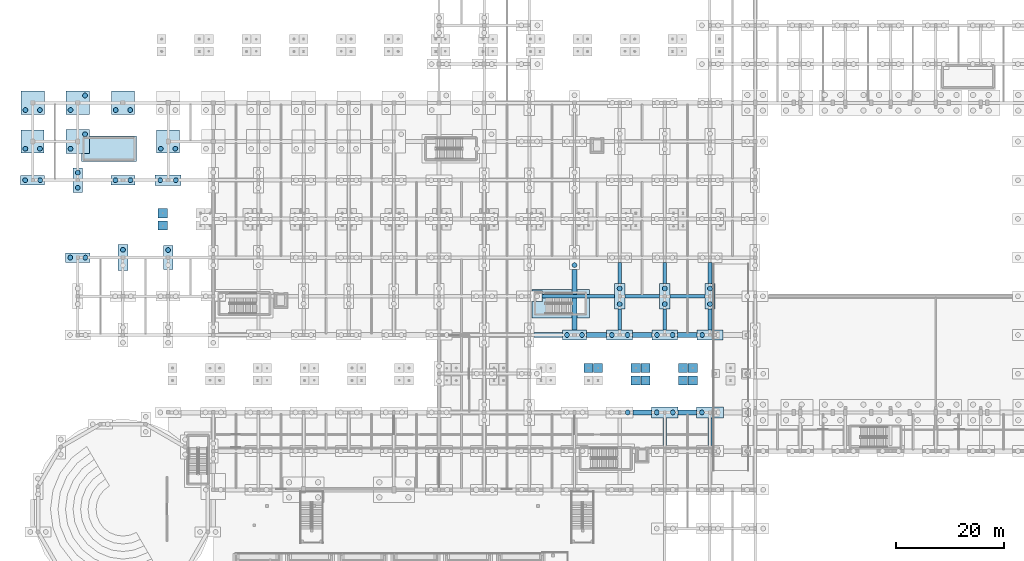
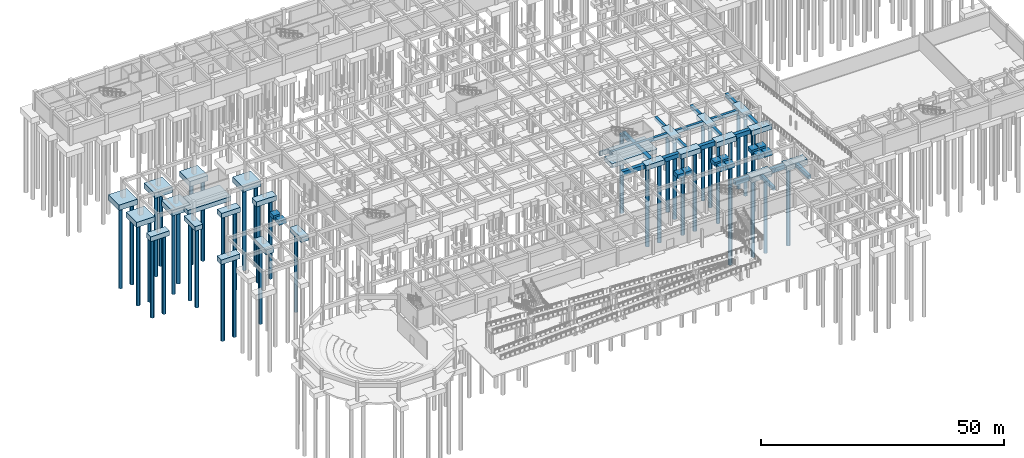
# One storey, part 5 of 80: 54 footings, 42 piles.
"""IFC4 building model written with IfcOpenShell, lengths in metres."""

from ifc_helpers import new_model, si_unit, direction, frame, origin, origin_2d, place, context, subcontext, project, spatial, polyline, rectangle, circle, outline, extrude, material, material_profile, profile_set, type_object, element, save


model = new_model("IFC4")

# Units and contexts
model_context = context("Model", 3, precision=1e-05, world=origin(), true_north=direction((0.0, 1.0)))
body_context = subcontext(model_context, "Body", "Model", "MODEL_VIEW")
ifc_project = project(units=[si_unit("LENGTHUNIT", "METRE"), si_unit("AREAUNIT", "SQUARE_METRE"), si_unit("VOLUMEUNIT", "CUBIC_METRE"), si_unit("PLANEANGLEUNIT", "RADIAN"), si_unit("MASSUNIT", "GRAM", prefix="KILO")], contexts=[model_context])

# Site, building, storey
site_placement = place(None, origin())
site = spatial("IfcSite", under=ifc_project, at=site_placement, CompositionType="ELEMENT")
building_placement = place(site_placement, origin())
building = spatial("IfcBuilding", under=site, at=building_placement, Name="Malvenik Polytechnic", CompositionType="ELEMENT")
storey_placement = place(building_placement, frame((0.0, 0.0, -4.800048828125)))
storey = spatial("IfcBuildingStorey", under=building, at=storey_placement, Name="B1", CompositionType="ELEMENT", Elevation=-4.800048828125)

# Footings
ifc_material = material(Name="Concrete C35/45", Category="concrete")
footing_type_1 = type_object("IfcFootingType", Name="STR-PC-1800x4500x1200", PredefinedType="PILE_CAP", material=ifc_material)
for number, where, z_axis, x_axis, name in (
    (1, (0.0, 79.199951171875, -1.19970703125), (0.0, 0.0, 1.0), (1.0, 0.0, 0.0), "Pile Cap PC-01 #1"),
    (2, (8.39990234375, 64.800048828125, -1.19970703125), (0.0, 0.0, 1.0), (1.0, 0.0, 0.0), "Pile Cap PC-01 #13"),
    (3, (16.800048828125, 79.199951171875, -1.19970703125), (0.0, 0.0, 1.0), (1.0, 0.0, 0.0), "Pile Cap PC-01 #25"),
    (4, (100.800048828125, 50.39990234375, -1.19970703125), (0.0, 0.0, 1.0), (1.0, 0.0, 0.0), "Pile Cap PC-01 #156"),
):
    element("IfcFooting", number, at=place(storey_placement, frame(where, z_axis=z_axis, x_axis=x_axis)), inside=storey, type_object=footing_type_1, Name=name, PredefinedType="PILE_CAP", context=body_context, shape_type="SweptSolid", body=[
        extrude(rectangle(XDim=4.5, YDim=1.800048828125, at=origin_2d()), origin(), (0.0, 0.0, 1.0), 1.199951171875),
    ])
footing_type_2 = type_object("IfcFootingType", Name="STR-PC-1900x4800x1250", PredefinedType="PILE_CAP", material=ifc_material)
for number, where, z_axis, x_axis, name in (
    (5, (25.199951171875, 79.199951171875, -1.25), (0.0, 0.0, 1.0), (1.0, 0.0, 0.0), "Pile Cap PC-13 #35"),
    (6, (109.199951171875, 50.39990234375, -1.25), (0.0, 0.0, 1.0), (1.0, 0.0, 0.0), "Pile Cap PC-13 #166"),
    (7, (117.60009765625, 50.39990234375, -1.25), (0.0, 0.0, 1.0), (1.0, 0.0, 0.0), "Pile Cap PC-13 #182"),
    (8, (126.0, 50.39990234375, -1.25), (0.0, 0.0, 1.0), (1.0, 0.0, 0.0), "Pile Cap PC-13 #198"),
):
    element("IfcFooting", number, at=place(storey_placement, frame(where, z_axis=z_axis, x_axis=x_axis)), inside=storey, type_object=footing_type_2, Name=name, PredefinedType="PILE_CAP", context=body_context, shape_type="SweptSolid", body=[
        extrude(rectangle(XDim=4.800048828125, YDim=1.89990234375, at=origin_2d()), origin(), (0.0, 0.0, 1.0), 1.25),
    ])
footing_type_3 = type_object("IfcFootingType", Name="STR-PC-2000x5000x1300", PredefinedType="PILE_CAP", material=ifc_material)
for number, where, z_axis, x_axis, name in (
    (9, (117.60009765625, 36.0, -1.2998046875), (0.0, 0.0, 1.0), (1.0, 0.0, 0.0), "Pile Cap PC-03 #181"),
    (10, (126.0, 36.0, -1.2998046875), (0.0, 0.0, 1.0), (1.0, 0.0, 0.0), "Pile Cap PC-03 #197"),
):
    element("IfcFooting", number, at=place(storey_placement, frame(where, z_axis=z_axis, x_axis=x_axis)), inside=storey, type_object=footing_type_3, Name=name, PredefinedType="PILE_CAP", context=body_context, shape_type="SweptSolid", body=[
        extrude(rectangle(XDim=5.0, YDim=2.0, at=origin_2d()), origin(), (0.0, 0.0, 1.0), 1.300048828125),
    ])
footing_type_4 = type_object("IfcFootingType", Name="STR-PC-4500x1800x1200", PredefinedType="PILE_CAP", material=ifc_material)
for number, where, z_axis, x_axis, name in (
    (11, (8.39990234375, 79.199951171875, -1.19970703125), (0.0, 0.0, 1.0), (1.0, 0.0, 0.0), "Pile Cap PC-02 #14"),
    (12, (25.199951171875, 64.800048828125, -1.19970703125), (0.0, 0.0, 1.0), (1.0, 0.0, 0.0), "Pile Cap PC-02 #34"),
):
    element("IfcFooting", number, at=place(storey_placement, frame(where, z_axis=z_axis, x_axis=x_axis)), inside=storey, type_object=footing_type_4, Name=name, PredefinedType="PILE_CAP", context=body_context, shape_type="SweptSolid", body=[
        extrude(rectangle(XDim=1.800048828125, YDim=4.5, at=origin_2d()), origin(), (0.0, 0.0, 1.0), 1.199951171875),
    ])
footing_type_5 = type_object("IfcFootingType", Name="STR-PC-4800x1900x1250", PredefinedType="PILE_CAP", material=ifc_material)
for number, where, z_axis, x_axis, name in (
    (13, (16.800048828125, 64.800048828125, -1.25), (0.0, 0.0, 1.0), (1.0, 0.0, 0.0), "Pile Cap PC-14 #24"),
    (14, (109.199951171875, 57.60009765625, -1.25), (0.0, 0.0, 1.0), (1.0, 0.0, 0.0), "Pile Cap PC-14 #167"),
    (15, (117.60009765625, 57.60009765625, -1.25), (0.0, 0.0, 1.0), (1.0, 0.0, 0.0), "Pile Cap PC-14 #183"),
    (16, (126.0, 57.60009765625, -1.25), (0.0, 0.0, 1.0), (1.0, 0.0, 0.0), "Pile Cap PC-14 #199"),
):
    element("IfcFooting", number, at=place(storey_placement, frame(where, z_axis=z_axis, x_axis=x_axis)), inside=storey, type_object=footing_type_5, Name=name, PredefinedType="PILE_CAP", context=body_context, shape_type="SweptSolid", body=[
        extrude(rectangle(XDim=1.89990234375, YDim=4.800048828125, at=origin_2d()), origin(), (0.0, 0.0, 1.0), 1.25),
    ])
footing_type_6 = type_object("IfcFootingType", Name="STR-PC-COMB-01", PredefinedType="PILE_CAP", material=ifc_material)
footing_1_placement = place(storey_placement, frame((0.0, 86.39990234375, -1.2998046875), z_axis=(0.0, 0.0, 1.0), x_axis=(1.0, 0.0, 0.0)))
element("IfcFooting", 17, at=footing_1_placement, inside=storey, type_object=footing_type_6, Name="Pile Cap PCC-01 #2", PredefinedType="PILE_CAP", context=body_context, shape_type="SweptSolid", body=[
    extrude(rectangle(XDim=4.300048828125, YDim=4.300048828125, at=origin_2d()), origin(), (0.0, 0.0, 1.0), 1.300048828125),
])
footing_type_7 = type_object("IfcFootingType", Name="STR-PC-COMB-02", PredefinedType="PILE_CAP", material=ifc_material)
footing_2_placement = place(storey_placement, frame((0.0, 93.60009765625, -1.35009765625), z_axis=(0.0, 0.0, 1.0), x_axis=(1.0, 0.0, 0.0)))
element("IfcFooting", 18, at=footing_2_placement, inside=storey, type_object=footing_type_7, Name="Pile Cap PCC-02 #3", PredefinedType="PILE_CAP", context=body_context, shape_type="SweptSolid", body=[
    extrude(rectangle(XDim=4.39990234375, YDim=4.39990234375, at=origin_2d()), origin(), (0.0, 0.0, 1.0), 1.35009765625),
])
footing_type_8 = type_object("IfcFootingType", Name="STR-PC-COMB-04", PredefinedType="PILE_CAP", material=ifc_material)
footing_3_placement = place(storey_placement, frame((8.39990234375, 86.39990234375, -1.35009765625), z_axis=(0.0, 0.0, 1.0), x_axis=(1.0, 0.0, 0.0)))
element("IfcFooting", 19, at=footing_3_placement, inside=storey, type_object=footing_type_8, Name="Pile Cap PCC-04 #15", PredefinedType="PILE_CAP", context=body_context, shape_type="SweptSolid", body=[
    extrude(rectangle(XDim=4.39990234375, YDim=4.39990234375, at=origin_2d()), origin(), (0.0, 0.0, 1.0), 1.35009765625),
])
footing_type_9 = type_object("IfcFootingType", Name="STR-PC-COMB-05", PredefinedType="PILE_CAP", material=ifc_material)
footing_4_placement = place(storey_placement, frame((8.39990234375, 93.60009765625, -1.2998046875), z_axis=(0.0, 0.0, 1.0), x_axis=(1.0, 0.0, 0.0)))
element("IfcFooting", 20, at=footing_4_placement, inside=storey, type_object=footing_type_9, Name="Pile Cap PCC-05 #16", PredefinedType="PILE_CAP", context=body_context, shape_type="SweptSolid", body=[
    extrude(rectangle(XDim=4.300048828125, YDim=4.300048828125, at=origin_2d()), origin(), (0.0, 0.0, 1.0), 1.300048828125),
])
footing_type_10 = type_object("IfcFootingType", Name="STR-PC-COMB-07", PredefinedType="PILE_CAP", material=ifc_material)
footing_5_placement = place(storey_placement, frame((16.800048828125, 93.60009765625, -1.2998046875), z_axis=(0.0, 0.0, 1.0), x_axis=(1.0, 0.0, 0.0)))
element("IfcFooting", 21, at=footing_5_placement, inside=storey, type_object=footing_type_10, Name="Pile Cap PCC-07 #26", PredefinedType="PILE_CAP", context=body_context, shape_type="SweptSolid", body=[
    extrude(rectangle(XDim=4.300048828125, YDim=4.300048828125, at=origin_2d()), origin(), (0.0, 0.0, 1.0), 1.300048828125),
])
footing_type_11 = type_object("IfcFootingType", Name="STR-PC-COMB-09", PredefinedType="PILE_CAP", material=ifc_material)
footing_6_placement = place(storey_placement, frame((25.199951171875, 86.39990234375, -1.2998046875), z_axis=(0.0, 0.0, 1.0), x_axis=(1.0, 0.0, 0.0)))
element("IfcFooting", 22, at=footing_6_placement, inside=storey, type_object=footing_type_11, Name="Pile Cap PCC-09 #36", PredefinedType="PILE_CAP", context=body_context, shape_type="SweptSolid", body=[
    extrude(rectangle(XDim=4.300048828125, YDim=4.300048828125, at=origin_2d()), origin(), (0.0, 0.0, 1.0), 1.300048828125),
])

# Piles
ifc_material_profile_1 = material_profile(ifc_material, circle(Radius=0.449951171875, at=origin_2d()), Name="BORED PILE D900")
ifc_profile_set_1 = profile_set([ifc_material_profile_1], Name="Concrete C35/45")
pile_type_1 = type_object("IfcPileType", Name="STR-PL-D900-195", PredefinedType="BORED", material=ifc_profile_set_1)
for number, where, z_axis, x_axis, name in (
    (23, (110.699951171875, 36.0, -1.199951171875), (0.0, 0.0, -1.0), (1.0, 0.0, 0.0), "Bored Pile PL-01 #370"),
    (24, (116.10009765625, 36.0, -1.199951171875), (0.0, 0.0, -1.0), (1.0, 0.0, 0.0), "Bored Pile PL-01 #401"),
    (25, (119.10009765625, 36.0, -1.199951171875), (0.0, 0.0, -1.0), (1.0, 0.0, 0.0), "Bored Pile PL-01 #402"),
    (26, (124.5, 36.0, -1.199951171875), (0.0, 0.0, -1.0), (1.0, 0.0, 0.0), "Bored Pile PL-01 #433"),
):
    element("IfcPile", number, at=place(storey_placement, frame(where, z_axis=z_axis, x_axis=x_axis)), inside=storey, type_object=pile_type_1, Name=name, PredefinedType="BORED", context=body_context, shape_type="SweptSolid", body=[
        extrude(circle(Radius=0.449951171875, at=origin_2d()), origin(), (0.0, 0.0, 1.0), 19.5),
    ])
ifc_material_profile_2 = material_profile(ifc_material, circle(Radius=0.449951171875, at=origin_2d()), Name="BORED PILE D900")
ifc_profile_set_2 = profile_set([ifc_material_profile_2], Name="Concrete C35/45")
pile_type_2 = type_object("IfcPileType", Name="STR-PL-D900-198", PredefinedType="BORED", material=ifc_profile_set_2)
for number, where, z_axis, x_axis, name in (
    (27, (-1.39990234375, 79.199951171875, -1.099853515625), (0.0, 0.0, -1.0), (1.0, 0.0, 0.0), "Bored Pile PL-02 #1"),
    (28, (1.39990234375, 79.199951171875, -1.099853515625), (0.0, 0.0, -1.0), (1.0, 0.0, 0.0), "Bored Pile PL-02 #2"),
    (29, (7.0, 64.800048828125, -1.099853515625), (0.0, 0.0, -1.0), (1.0, 0.0, 0.0), "Bored Pile PL-02 #29"),
    (30, (9.800048828125, 64.800048828125, -1.099853515625), (0.0, 0.0, -1.0), (1.0, 0.0, 0.0), "Bored Pile PL-02 #30"),
    (31, (8.39990234375, 77.800048828125, -1.099853515625), (0.0, 0.0, -1.0), (1.0, 0.0, 0.0), "Bored Pile PL-02 #31"),
    (32, (8.39990234375, 80.60009765625, -1.099853515625), (0.0, 0.0, -1.0), (1.0, 0.0, 0.0), "Bored Pile PL-02 #32"),
    (33, (16.800048828125, 66.25, -1.14990234375), (0.0, 0.0, -1.0), (1.0, 0.0, 0.0), "Bored Pile PL-02 #56"),
    (34, (15.39990234375, 79.199951171875, -1.099853515625), (0.0, 0.0, -1.0), (1.0, 0.0, 0.0), "Bored Pile PL-02 #57"),
    (35, (18.199951171875, 79.199951171875, -1.099853515625), (0.0, 0.0, -1.0), (1.0, 0.0, 0.0), "Bored Pile PL-02 #58"),
    (36, (25.199951171875, 66.199951171875, -1.099853515625), (0.0, 0.0, -1.0), (1.0, 0.0, 0.0), "Bored Pile PL-02 #78"),
    (37, (23.75, 79.199951171875, -1.14990234375), (0.0, 0.0, -1.0), (1.0, 0.0, 0.0), "Bored Pile PL-02 #79"),
    (38, (26.64990234375, 79.199951171875, -1.14990234375), (0.0, 0.0, -1.0), (1.0, 0.0, 0.0), "Bored Pile PL-02 #80"),
    (39, (99.39990234375, 50.39990234375, -1.099853515625), (0.0, 0.0, -1.0), (1.0, 0.0, 0.0), "Bored Pile PL-02 #351"),
    (40, (102.199951171875, 50.39990234375, -1.099853515625), (0.0, 0.0, -1.0), (1.0, 0.0, 0.0), "Bored Pile PL-02 #352"),
    (41, (100.800048828125, 63.39990234375, -1.099853515625), (0.0, 0.0, -1.0), (1.0, 0.0, 0.0), "Bored Pile PL-02 #353"),
    (42, (107.75, 50.39990234375, -1.14990234375), (0.0, 0.0, -1.0), (1.0, 0.0, 0.0), "Bored Pile PL-02 #371"),
    (43, (110.64990234375, 50.39990234375, -1.14990234375), (0.0, 0.0, -1.0), (1.0, 0.0, 0.0), "Bored Pile PL-02 #372"),
    (44, (109.199951171875, 56.14990234375, -1.14990234375), (0.0, 0.0, -1.0), (1.0, 0.0, 0.0), "Bored Pile PL-02 #373"),
    (45, (109.199951171875, 59.050048828125, -1.14990234375), (0.0, 0.0, -1.0), (1.0, 0.0, 0.0), "Bored Pile PL-02 #374"),
    (46, (116.14990234375, 50.39990234375, -1.14990234375), (0.0, 0.0, -1.0), (1.0, 0.0, 0.0), "Bored Pile PL-02 #403"),
    (47, (119.050048828125, 50.39990234375, -1.14990234375), (0.0, 0.0, -1.0), (1.0, 0.0, 0.0), "Bored Pile PL-02 #404"),
    (48, (117.60009765625, 56.14990234375, -1.14990234375), (0.0, 0.0, -1.0), (1.0, 0.0, 0.0), "Bored Pile PL-02 #405"),
    (49, (117.60009765625, 59.050048828125, -1.14990234375), (0.0, 0.0, -1.0), (1.0, 0.0, 0.0), "Bored Pile PL-02 #406"),
    (50, (124.550048828125, 50.39990234375, -1.14990234375), (0.0, 0.0, -1.0), (1.0, 0.0, 0.0), "Bored Pile PL-02 #435"),
    (51, (126.0, 56.14990234375, -1.14990234375), (0.0, 0.0, -1.0), (1.0, 0.0, 0.0), "Bored Pile PL-02 #437"),
    (52, (126.0, 59.050048828125, -1.14990234375), (0.0, 0.0, -1.0), (1.0, 0.0, 0.0), "Bored Pile PL-02 #438"),
):
    element("IfcPile", number, at=place(storey_placement, frame(where, z_axis=z_axis, x_axis=x_axis)), inside=storey, type_object=pile_type_2, Name=name, PredefinedType="BORED", context=body_context, shape_type="SweptSolid", body=[
        extrude(circle(Radius=0.449951171875, at=origin_2d()), origin(), (0.0, 0.0, 1.0), 19.800048828125),
    ])
ifc_material_profile_3 = material_profile(ifc_material, circle(Radius=0.449951171875, at=origin_2d()), Name="BORED PILE D900")
ifc_profile_set_3 = profile_set([ifc_material_profile_3], Name="Concrete C35/45")
pile_type_3 = type_object("IfcPileType", Name="STR-PL-D900-202", PredefinedType="BORED", material=ifc_profile_set_3)
for number, where, z_axis, x_axis, name in (
    (53, (-1.35009765625, 85.050048828125, -1.199951171875), (0.0, 0.0, -1.0), (1.0, 0.0, 0.0), "Bored Pile PL-03 #3"),
    (54, (1.35009765625, 85.050048828125, -1.199951171875), (0.0, 0.0, -1.0), (1.0, 0.0, 0.0), "Bored Pile PL-03 #4"),
    (55, (-1.35009765625, 92.25, -1.25), (0.0, 0.0, -1.0), (1.0, 0.0, 0.0), "Bored Pile PL-03 #5"),
    (56, (1.35009765625, 92.25, -1.25), (0.0, 0.0, -1.0), (1.0, 0.0, 0.0), "Bored Pile PL-03 #6"),
    (57, (7.050048828125, 85.050048828125, -1.25), (0.0, 0.0, -1.0), (1.0, 0.0, 0.0), "Bored Pile PL-03 #33"),
    (58, (9.75, 87.75, -1.25), (0.0, 0.0, -1.0), (1.0, 0.0, 0.0), "Bored Pile PL-03 #34"),
    (59, (7.050048828125, 92.25, -1.199951171875), (0.0, 0.0, -1.0), (1.0, 0.0, 0.0), "Bored Pile PL-03 #35"),
    (60, (9.75, 94.949951171875, -1.199951171875), (0.0, 0.0, -1.0), (1.0, 0.0, 0.0), "Bored Pile PL-03 #36"),
    (61, (15.449951171875, 92.25, -1.199951171875), (0.0, 0.0, -1.0), (1.0, 0.0, 0.0), "Bored Pile PL-03 #59"),
    (62, (18.14990234375, 92.25, -1.199951171875), (0.0, 0.0, -1.0), (1.0, 0.0, 0.0), "Bored Pile PL-03 #60"),
    (63, (23.85009765625, 85.050048828125, -1.199951171875), (0.0, 0.0, -1.0), (1.0, 0.0, 0.0), "Bored Pile PL-03 #81"),
    (64, (26.550048828125, 85.050048828125, -1.199951171875), (0.0, 0.0, -1.0), (1.0, 0.0, 0.0), "Bored Pile PL-03 #82"),
):
    element("IfcPile", number, at=place(storey_placement, frame(where, z_axis=z_axis, x_axis=x_axis)), inside=storey, type_object=pile_type_3, Name=name, PredefinedType="BORED", context=body_context, shape_type="SweptSolid", body=[
        extrude(circle(Radius=0.449951171875, at=origin_2d()), origin(), (0.0, 0.0, 1.0), 20.199951171875),
    ])

# Footings
footing_type_12 = type_object("IfcFootingType", Name="STR-SF-600x800", PredefinedType="STRIP_FOOTING", material=ifc_material)
footing_7_placement = place(storey_placement, frame((0.0, 0.0, -0.800048828125)))
element("IfcFooting", 65, at=footing_7_placement, inside=storey, type_object=footing_type_12, Name="Ground Tie Beam SF-01 #66", PredefinedType="STRIP_FOOTING", context=body_context, shape_type="SweptSolid", body=[
    extrude(outline(polyline([(94.800048828125, 57.300048828125), (108.25, 57.300048828125), (108.25, 57.89990234375), (94.800048828125, 57.89990234375), (94.800048828125, 57.300048828125)])), origin(), (0.0, 0.0, 1.0), 0.800048828125),
])
footing_8_placement = place(storey_placement, frame((0.0, 0.0, -0.800048828125)))
element("IfcFooting", 66, at=footing_8_placement, inside=storey, type_object=footing_type_12, Name="Ground Tie Beam SF-01 #67", PredefinedType="STRIP_FOOTING", context=body_context, shape_type="SweptSolid", body=[
    extrude(outline(polyline([(110.14990234375, 57.300048828125), (116.64990234375, 57.300048828125), (116.64990234375, 57.89990234375), (110.14990234375, 57.89990234375), (110.14990234375, 57.300048828125)])), origin(), (0.0, 0.0, 1.0), 0.800048828125),
])
footing_9_placement = place(storey_placement, frame((0.0, 0.0, -0.800048828125)))
element("IfcFooting", 67, at=footing_9_placement, inside=storey, type_object=footing_type_12, Name="Ground Tie Beam SF-01 #68", PredefinedType="STRIP_FOOTING", context=body_context, shape_type="SweptSolid", body=[
    extrude(outline(polyline([(118.550048828125, 57.300048828125), (125.050048828125, 57.300048828125), (125.050048828125, 57.89990234375), (118.550048828125, 57.89990234375), (118.550048828125, 57.300048828125)])), origin(), (0.0, 0.0, 1.0), 0.800048828125),
])
footing_10_placement = place(storey_placement, frame((0.0, 0.0, -0.800048828125)))
element("IfcFooting", 68, at=footing_10_placement, inside=storey, type_object=footing_type_12, Name="Ground Tie Beam SF-01 #274", PredefinedType="STRIP_FOOTING", context=body_context, shape_type="SweptSolid", body=[
    extrude(outline(polyline([(108.89990234375, 51.35009765625), (109.5, 51.35009765625), (109.5, 55.199951171875), (108.89990234375, 55.199951171875), (108.89990234375, 51.35009765625)])), origin(), (0.0, 0.0, 1.0), 0.800048828125),
])
footing_11_placement = place(storey_placement, frame((0.0, 0.0, -0.800048828125)))
element("IfcFooting", 69, at=footing_11_placement, inside=storey, type_object=footing_type_12, Name="Ground Tie Beam SF-01 #275", PredefinedType="STRIP_FOOTING", context=body_context, shape_type="SweptSolid", body=[
    extrude(outline(polyline([(108.89990234375, 60.0), (109.5, 60.0), (109.5, 63.89990234375), (108.89990234375, 63.89990234375), (108.89990234375, 60.0)])), origin(), (0.0, 0.0, 1.0), 0.800048828125),
])
footing_type_13 = type_object("IfcFootingType", Name="STR-SF-650x850", PredefinedType="STRIP_FOOTING", material=ifc_material)
footing_12_placement = place(storey_placement, frame((0.0, 0.0, -0.849853515625)))
element("IfcFooting", 70, at=footing_12_placement, inside=storey, type_object=footing_type_13, Name="Ground Tie Beam SF-02 #283", PredefinedType="STRIP_FOOTING", context=body_context, shape_type="SweptSolid", body=[
    extrude(outline(polyline([(117.27490234375, 29.800048828125), (117.925048828125, 29.800048828125), (117.925048828125, 35.0), (117.27490234375, 35.0), (117.27490234375, 29.800048828125)])), origin(), (0.0, 0.0, 1.0), 0.849853515625),
])
footing_13_placement = place(storey_placement, frame((0.0, 0.0, -0.849853515625)))
element("IfcFooting", 71, at=footing_13_placement, inside=storey, type_object=footing_type_13, Name="Ground Tie Beam SF-02 #284", PredefinedType="STRIP_FOOTING", context=body_context, shape_type="SweptSolid", body=[
    extrude(outline(polyline([(117.27490234375, 51.35009765625), (117.925048828125, 51.35009765625), (117.925048828125, 55.199951171875), (117.27490234375, 55.199951171875), (117.27490234375, 51.35009765625)])), origin(), (0.0, 0.0, 1.0), 0.849853515625),
])
footing_14_placement = place(storey_placement, frame((0.0, 0.0, -0.849853515625)))
element("IfcFooting", 72, at=footing_14_placement, inside=storey, type_object=footing_type_13, Name="Ground Tie Beam SF-02 #285", PredefinedType="STRIP_FOOTING", context=body_context, shape_type="SweptSolid", body=[
    extrude(outline(polyline([(117.27490234375, 60.0), (117.925048828125, 60.0), (117.925048828125, 63.89990234375), (117.27490234375, 63.89990234375), (117.27490234375, 60.0)])), origin(), (0.0, 0.0, 1.0), 0.849853515625),
])
footing_type_14 = type_object("IfcFootingType", Name="STR-SF-700x900", PredefinedType="STRIP_FOOTING", material=ifc_material)
footing_15_placement = place(storey_placement, frame((0.0, 0.0, -0.89990234375)))
element("IfcFooting", 73, at=footing_15_placement, inside=storey, type_object=footing_type_14, Name="Ground Tie Beam SF-03 #293", PredefinedType="STRIP_FOOTING", context=body_context, shape_type="SweptSolid", body=[
    extrude(outline(polyline([(125.64990234375, 29.800048828125), (126.35009765625, 29.800048828125), (126.35009765625, 35.0), (125.64990234375, 35.0), (125.64990234375, 29.800048828125)])), origin(), (0.0, 0.0, 1.0), 0.89990234375),
])
footing_16_placement = place(storey_placement, frame((0.0, 0.0, -0.89990234375)))
element("IfcFooting", 74, at=footing_16_placement, inside=storey, type_object=footing_type_14, Name="Ground Tie Beam SF-03 #294", PredefinedType="STRIP_FOOTING", context=body_context, shape_type="SweptSolid", body=[
    extrude(outline(polyline([(125.64990234375, 51.35009765625), (126.35009765625, 51.35009765625), (126.35009765625, 55.199951171875), (125.64990234375, 55.199951171875), (125.64990234375, 51.35009765625)])), origin(), (0.0, 0.0, 1.0), 0.89990234375),
])
footing_17_placement = place(storey_placement, frame((0.0, 0.0, -0.89990234375)))
element("IfcFooting", 75, at=footing_17_placement, inside=storey, type_object=footing_type_14, Name="Ground Tie Beam SF-03 #295", PredefinedType="STRIP_FOOTING", context=body_context, shape_type="SweptSolid", body=[
    extrude(outline(polyline([(125.64990234375, 60.0), (126.35009765625, 60.0), (126.35009765625, 63.89990234375), (125.64990234375, 63.89990234375), (125.64990234375, 60.0)])), origin(), (0.0, 0.0, 1.0), 0.89990234375),
])
footing_type_15 = type_object("IfcFootingType", Name="STR-SF-800x1000", PredefinedType="STRIP_FOOTING", material=ifc_material)
footing_18_placement = place(storey_placement, frame((0.0, 0.0, -1.0)))
element("IfcFooting", 76, at=footing_18_placement, inside=storey, type_object=footing_type_15, Name="Bridge-Ramp Pier Footing #36.1", PredefinedType="STRIP_FOOTING", context=body_context, shape_type="SweptSolid", body=[
    extrude(outline(polyline([(102.550048828125, 43.39990234375), (102.550048828125, 45.10009765625), (104.25, 45.10009765625), (104.25, 43.39990234375), (102.550048828125, 43.39990234375)])), origin(), (0.0, 0.0, 1.0), 1.0),
])
footing_19_placement = place(storey_placement, frame((0.0, 0.0, -1.0)))
element("IfcFooting", 77, at=footing_19_placement, inside=storey, type_object=footing_type_15, Name="Bridge-Ramp Pier Footing #38.1", PredefinedType="STRIP_FOOTING", context=body_context, shape_type="SweptSolid", body=[
    extrude(outline(polyline([(104.35009765625, 43.39990234375), (104.35009765625, 45.10009765625), (106.050048828125, 45.10009765625), (106.050048828125, 43.39990234375), (104.35009765625, 43.39990234375)])), origin(), (0.0, 0.0, 1.0), 1.0),
])
footing_20_placement = place(storey_placement, frame((0.0, 0.0, -1.0)))
element("IfcFooting", 78, at=footing_20_placement, inside=storey, type_object=footing_type_15, Name="Bridge-Ramp Pier Footing #39.1", PredefinedType="STRIP_FOOTING", context=body_context, shape_type="SweptSolid", body=[
    extrude(outline(polyline([(111.35009765625, 41.10009765625), (111.35009765625, 42.800048828125), (113.050048828125, 42.800048828125), (113.050048828125, 41.10009765625), (111.35009765625, 41.10009765625)])), origin(), (0.0, 0.0, 1.0), 1.0),
])
footing_21_placement = place(storey_placement, frame((0.0, 0.0, -1.0)))
element("IfcFooting", 79, at=footing_21_placement, inside=storey, type_object=footing_type_15, Name="Bridge-Ramp Pier Footing #40.1", PredefinedType="STRIP_FOOTING", context=body_context, shape_type="SweptSolid", body=[
    extrude(outline(polyline([(111.35009765625, 43.39990234375), (111.35009765625, 45.10009765625), (113.050048828125, 45.10009765625), (113.050048828125, 43.39990234375), (111.35009765625, 43.39990234375)])), origin(), (0.0, 0.0, 1.0), 1.0),
])
footing_22_placement = place(storey_placement, frame((0.0, 0.0, -1.0)))
element("IfcFooting", 80, at=footing_22_placement, inside=storey, type_object=footing_type_15, Name="Bridge-Ramp Pier Footing #41.1", PredefinedType="STRIP_FOOTING", context=body_context, shape_type="SweptSolid", body=[
    extrude(outline(polyline([(113.14990234375, 41.10009765625), (113.14990234375, 42.800048828125), (114.85009765625, 42.800048828125), (114.85009765625, 41.10009765625), (113.14990234375, 41.10009765625)])), origin(), (0.0, 0.0, 1.0), 1.0),
])
footing_23_placement = place(storey_placement, frame((0.0, 0.0, -1.0)))
element("IfcFooting", 81, at=footing_23_placement, inside=storey, type_object=footing_type_15, Name="Bridge-Ramp Pier Footing #42.1", PredefinedType="STRIP_FOOTING", context=body_context, shape_type="SweptSolid", body=[
    extrude(outline(polyline([(113.14990234375, 43.39990234375), (113.14990234375, 45.10009765625), (114.85009765625, 45.10009765625), (114.85009765625, 43.39990234375), (113.14990234375, 43.39990234375)])), origin(), (0.0, 0.0, 1.0), 1.0),
])
footing_24_placement = place(storey_placement, frame((0.0, 0.0, -1.0)))
element("IfcFooting", 82, at=footing_24_placement, inside=storey, type_object=footing_type_15, Name="Bridge-Ramp Pier Footing #43.1", PredefinedType="STRIP_FOOTING", context=body_context, shape_type="SweptSolid", body=[
    extrude(outline(polyline([(120.14990234375, 41.10009765625), (120.14990234375, 42.800048828125), (121.85009765625, 42.800048828125), (121.85009765625, 41.10009765625), (120.14990234375, 41.10009765625)])), origin(), (0.0, 0.0, 1.0), 1.0),
])
footing_25_placement = place(storey_placement, frame((0.0, 0.0, -1.0)))
element("IfcFooting", 83, at=footing_25_placement, inside=storey, type_object=footing_type_15, Name="Bridge-Ramp Pier Footing #44.1", PredefinedType="STRIP_FOOTING", context=body_context, shape_type="SweptSolid", body=[
    extrude(outline(polyline([(120.14990234375, 43.39990234375), (120.14990234375, 45.10009765625), (121.85009765625, 45.10009765625), (121.85009765625, 43.39990234375), (120.14990234375, 43.39990234375)])), origin(), (0.0, 0.0, 1.0), 1.0),
])
footing_26_placement = place(storey_placement, frame((0.0, 0.0, -1.0)))
element("IfcFooting", 84, at=footing_26_placement, inside=storey, type_object=footing_type_15, Name="Bridge-Ramp Pier Footing #45.1", PredefinedType="STRIP_FOOTING", context=body_context, shape_type="SweptSolid", body=[
    extrude(outline(polyline([(121.949951171875, 41.10009765625), (121.949951171875, 42.800048828125), (123.64990234375, 42.800048828125), (123.64990234375, 41.10009765625), (121.949951171875, 41.10009765625)])), origin(), (0.0, 0.0, 1.0), 1.0),
])
footing_27_placement = place(storey_placement, frame((0.0, 0.0, -1.0)))
element("IfcFooting", 85, at=footing_27_placement, inside=storey, type_object=footing_type_15, Name="Bridge-Ramp Pier Footing #46.1", PredefinedType="STRIP_FOOTING", context=body_context, shape_type="SweptSolid", body=[
    extrude(outline(polyline([(121.949951171875, 43.39990234375), (121.949951171875, 45.10009765625), (123.64990234375, 45.10009765625), (123.64990234375, 43.39990234375), (121.949951171875, 43.39990234375)])), origin(), (0.0, 0.0, 1.0), 1.0),
])
footing_28_placement = place(storey_placement, frame((0.0, 0.0, -1.0)))
element("IfcFooting", 86, at=footing_28_placement, inside=storey, type_object=footing_type_15, Name="Bridge-Ramp Pier Footing #95.1", PredefinedType="STRIP_FOOTING", context=body_context, shape_type="SweptSolid", body=[
    extrude(outline(polyline([(23.35009765625, 69.89990234375), (23.35009765625, 71.60009765625), (25.050048828125, 71.60009765625), (25.050048828125, 69.89990234375), (23.35009765625, 69.89990234375)])), origin(), (0.0, 0.0, 1.0), 1.0),
])
footing_29_placement = place(storey_placement, frame((0.0, 0.0, -1.0)))
element("IfcFooting", 87, at=footing_29_placement, inside=storey, type_object=footing_type_15, Name="Bridge-Ramp Pier Footing #96.1", PredefinedType="STRIP_FOOTING", context=body_context, shape_type="SweptSolid", body=[
    extrude(outline(polyline([(23.35009765625, 72.199951171875), (23.35009765625, 73.89990234375), (25.050048828125, 73.89990234375), (25.050048828125, 72.199951171875), (23.35009765625, 72.199951171875)])), origin(), (0.0, 0.0, 1.0), 1.0),
])
footing_type_16 = type_object("IfcFootingType", Name="STR-SF-850x1050", PredefinedType="STRIP_FOOTING", material=ifc_material)
footing_30_placement = place(storey_placement, frame((0.0, 0.0, -1.050048828125)))
element("IfcFooting", 88, at=footing_30_placement, inside=storey, type_object=footing_type_16, Name="Ground Tie Beam SF-08 #55", PredefinedType="STRIP_FOOTING", context=body_context, shape_type="SweptSolid", body=[
    extrude(outline(polyline([(93.300048828125, 49.97509765625), (98.550048828125, 49.97509765625), (98.550048828125, 50.824951171875), (93.300048828125, 50.824951171875), (93.300048828125, 49.97509765625)])), origin(), (0.0, 0.0, 1.0), 1.050048828125),
])
footing_31_placement = place(storey_placement, frame((0.0, 0.0, -1.050048828125)))
element("IfcFooting", 89, at=footing_31_placement, inside=storey, type_object=footing_type_16, Name="Ground Tie Beam SF-08 #56", PredefinedType="STRIP_FOOTING", context=body_context, shape_type="SweptSolid", body=[
    extrude(outline(polyline([(103.050048828125, 49.97509765625), (106.800048828125, 49.97509765625), (106.800048828125, 50.824951171875), (103.050048828125, 50.824951171875), (103.050048828125, 49.97509765625)])), origin(), (0.0, 0.0, 1.0), 1.050048828125),
])
footing_32_placement = place(storey_placement, frame((0.0, 0.0, -1.050048828125)))
element("IfcFooting", 90, at=footing_32_placement, inside=storey, type_object=footing_type_16, Name="Ground Tie Beam SF-08 #57", PredefinedType="STRIP_FOOTING", context=body_context, shape_type="SweptSolid", body=[
    extrude(outline(polyline([(111.60009765625, 49.97509765625), (115.199951171875, 49.97509765625), (115.199951171875, 50.824951171875), (111.60009765625, 50.824951171875), (111.60009765625, 49.97509765625)])), origin(), (0.0, 0.0, 1.0), 1.050048828125),
])
footing_33_placement = place(storey_placement, frame((0.0, 0.0, -1.050048828125)))
element("IfcFooting", 91, at=footing_33_placement, inside=storey, type_object=footing_type_16, Name="Ground Tie Beam SF-08 #58", PredefinedType="STRIP_FOOTING", context=body_context, shape_type="SweptSolid", body=[
    extrude(outline(polyline([(120.0, 49.97509765625), (123.60009765625, 49.97509765625), (123.60009765625, 50.824951171875), (120.0, 50.824951171875), (120.0, 49.97509765625)])), origin(), (0.0, 0.0, 1.0), 1.050048828125),
])
footing_34_placement = place(storey_placement, frame((0.0, 0.0, -1.050048828125)))
element("IfcFooting", 92, at=footing_34_placement, inside=storey, type_object=footing_type_16, Name="Ground Tie Beam SF-08 #267", PredefinedType="STRIP_FOOTING", context=body_context, shape_type="SweptSolid", body=[
    extrude(outline(polyline([(100.375, 51.300048828125), (101.22509765625, 51.300048828125), (101.22509765625, 62.550048828125), (100.375, 62.550048828125), (100.375, 51.300048828125)])), origin(), (0.0, 0.0, 1.0), 1.050048828125),
])
footing_type_17 = type_object("IfcFootingType", Name="STR-SF-900x1100", PredefinedType="STRIP_FOOTING", material=ifc_material)
footing_35_placement = place(storey_placement, frame((0.0, 0.0, -1.099853515625)))
element("IfcFooting", 93, at=footing_35_placement, inside=storey, type_object=footing_type_17, Name="Ground Tie Beam SF-06 #40", PredefinedType="STRIP_FOOTING", context=body_context, shape_type="SweptSolid", body=[
    extrude(outline(polyline([(111.699951171875, 35.550048828125), (115.10009765625, 35.550048828125), (115.10009765625, 36.449951171875), (111.699951171875, 36.449951171875), (111.699951171875, 35.550048828125)])), origin(), (0.0, 0.0, 1.0), 1.099853515625),
])
footing_36_placement = place(storey_placement, frame((0.0, 0.0, -1.099853515625)))
element("IfcFooting", 94, at=footing_36_placement, inside=storey, type_object=footing_type_17, Name="Ground Tie Beam SF-06 #41", PredefinedType="STRIP_FOOTING", context=body_context, shape_type="SweptSolid", body=[
    extrude(outline(polyline([(120.10009765625, 35.550048828125), (123.5, 35.550048828125), (123.5, 36.449951171875), (120.10009765625, 36.449951171875), (120.10009765625, 35.550048828125)])), origin(), (0.0, 0.0, 1.0), 1.099853515625),
])
footing_37_placement = place(storey_placement, frame((0.0, 0.0, -1.099853515625)))
element("IfcFooting", 95, at=footing_37_placement, inside=storey, type_object=footing_type_17, Name="Core Wall Strip Footing #328", PredefinedType="STRIP_FOOTING", context=body_context, shape_type="SweptSolid", body=[
    extrude(outline(polyline([(92.85009765625, 58.89990234375), (103.550048828125, 58.89990234375), (103.550048828125, 53.60009765625), (92.85009765625, 53.60009765625), (92.85009765625, 56.6201171875), (94.800048828125, 56.6201171875), (94.802978515625, 56.6201171875), (94.805908203125, 56.62060546875), (94.80859375, 56.621337890625), (94.8115234375, 56.622314453125), (94.814208984375, 56.62353515625), (94.816650390625, 56.625), (94.819091796875, 56.626708984375), (94.8212890625, 56.62890625), (94.8232421875, 56.631103515625), (94.824951171875, 56.63330078125), (94.826416015625, 56.635986328125), (94.82763671875, 56.638427734375), (94.82861328125, 56.641357421875), (94.829345703125, 56.64404296875), (94.829833984375, 56.647216796875), (94.830078125, 56.64990234375), (94.830078125, 58.550048828125), (94.829833984375, 58.552978515625), (94.829345703125, 58.555908203125), (94.82861328125, 58.55859375), (94.82763671875, 58.5615234375), (94.826416015625, 58.564208984375), (94.824951171875, 58.566650390625), (94.8232421875, 58.569091796875), (94.8212890625, 58.5712890625), (94.819091796875, 58.5732421875), (94.816650390625, 58.574951171875), (94.814208984375, 58.576416015625), (94.8115234375, 58.57763671875), (94.80859375, 58.57861328125), (94.805908203125, 58.579345703125), (94.802978515625, 58.579833984375), (94.800048828125, 58.580078125), (92.85009765625, 58.580078125), (92.85009765625, 58.89990234375)])), origin(), (0.0, 0.0, 1.0), 1.099853515625),
])
footing_38_placement = place(storey_placement, frame((0.0, 0.0, -1.099853515625)))
element("IfcFooting", 96, at=footing_38_placement, inside=storey, type_object=footing_type_17, Name="Core Wall Strip Footing ST-04", PredefinedType="STRIP_FOOTING", context=body_context, shape_type="SweptSolid", body=[
    extrude(outline(polyline([(9.10009765625, 82.64990234375), (19.300048828125, 82.64990234375), (19.300048828125, 87.449951171875), (9.10009765625, 87.449951171875), (9.10009765625, 82.64990234375)])), origin(), (0.0, 0.0, 1.0), 1.099853515625),
])

save(model, "model.ifc")
